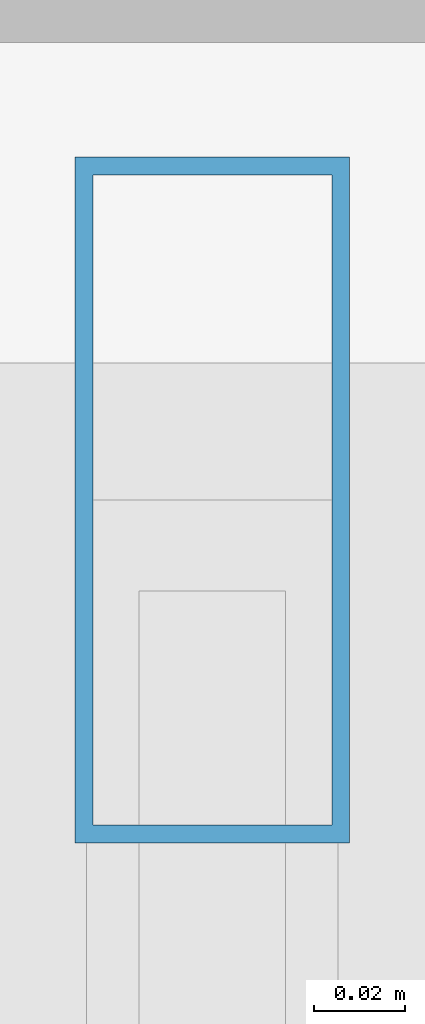
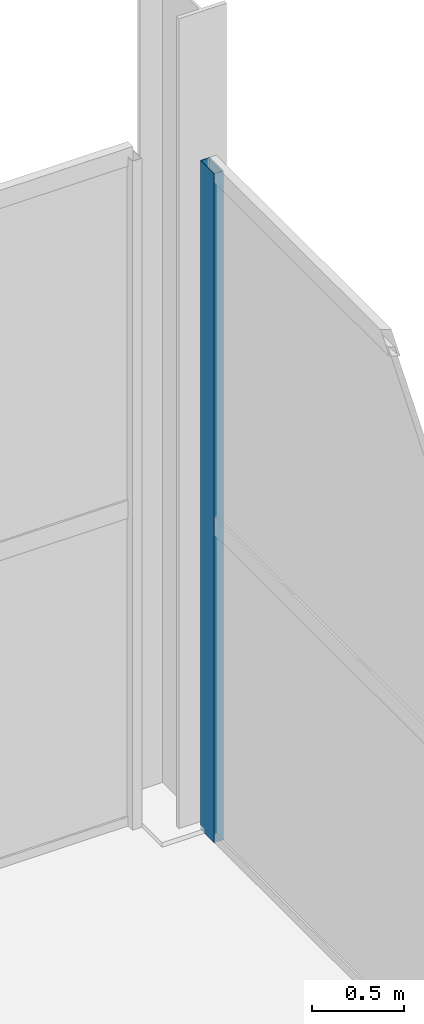
# One storey, part 97 of 147: 1 member, 1 element without a shape of its own.
"""IFC4 building model written with IfcOpenShell, lengths in metres."""

from ifc_helpers import new_model, si_unit, direction, frame, origin, origin_2d, place, context, subcontext, project, spatial, hollow_rectangle, extrude, material, layer, layer_set, material_profile, profile_set, type_object, element, aggregate, save


model = new_model("IFC4")

# Units and contexts
model_context = context("Model", 3, precision=1e-05, world=origin(), true_north=direction((0.0, 1.0)))
body_context = subcontext(model_context, "Body", "Model", "MODEL_VIEW")
ifc_project = project(units=[si_unit("LENGTHUNIT", "METRE"), si_unit("AREAUNIT", "SQUARE_METRE"), si_unit("VOLUMEUNIT", "CUBIC_METRE"), si_unit("PLANEANGLEUNIT", "RADIAN"), si_unit("MASSUNIT", "GRAM", prefix="KILO")], contexts=[model_context])

# Site, building, storey
site_placement = place(None, origin())
site = spatial("IfcSite", under=ifc_project, at=site_placement, CompositionType="ELEMENT")
building_placement = place(site_placement, origin())
building = spatial("IfcBuilding", under=site, at=building_placement, Name="Sundgate Opera House", CompositionType="ELEMENT")
storey_placement = place(building_placement, frame((0.0, 0.0, 6.0)))
storey = spatial("IfcBuildingStorey", under=building, at=storey_placement, Name="L01", CompositionType="ELEMENT", Elevation=6.0)

# Curtain wall, member
ifc_material_1 = material(Name="Anodized aluminium and low-iron glass", Category="aluminium")
ifc_layer = layer(ifc_material_1, 0.14990234375)
ifc_layer_set = layer_set([ifc_layer], Name="Anodized aluminium and low-iron glass")
curtain_wall_type = type_object("IfcCurtainWallType", Name="CW-WORKSHOP-DARK", PredefinedType="NOTDEFINED", material=ifc_layer_set)
curtain_wall_placement = place(storey_placement, origin())
curtain_wall = element("IfcCurtainWall", 1, at=curtain_wall_placement, inside=storey, type_object=curtain_wall_type, Name="L01 Curtain Wall CW151", PredefinedType="NOTDEFINED")
ifc_material_2 = material(Name="Anodized aluminium EN AW-6063", Category="aluminium")
ifc_material_profile = material_profile(ifc_material_2, hollow_rectangle(XDim=0.06005859375, YDim=0.14990234375, WallThickness=0.00390625, at=origin_2d()), Name="CWM 150x60x4")
ifc_profile_set = profile_set([ifc_material_profile], Name="Anodized aluminium EN AW-6063")
member_type = type_object("IfcMemberType", Name="CWM-ALU-150x60", PredefinedType="MULLION", material=ifc_profile_set)
member_placement = place(storey_placement, frame((160.199951171875, 32.675048828125, 0.0), z_axis=(0.0, 0.0, 1.0), x_axis=(1.0, 0.0, 0.0)))
member = element("IfcMember", 2, at=member_placement, type_object=member_type, Name="CW151 Mullion 4", PredefinedType="MULLION", context=body_context, shape_type="SweptSolid", body=[
    extrude(hollow_rectangle(XDim=0.06005859375, YDim=0.14990234375, WallThickness=0.00390625, at=origin_2d()), origin(), (0.0, 0.0, 1.0), 4.43505859375),
])
aggregate(curtain_wall, [member])

save(model, "model.ifc")
